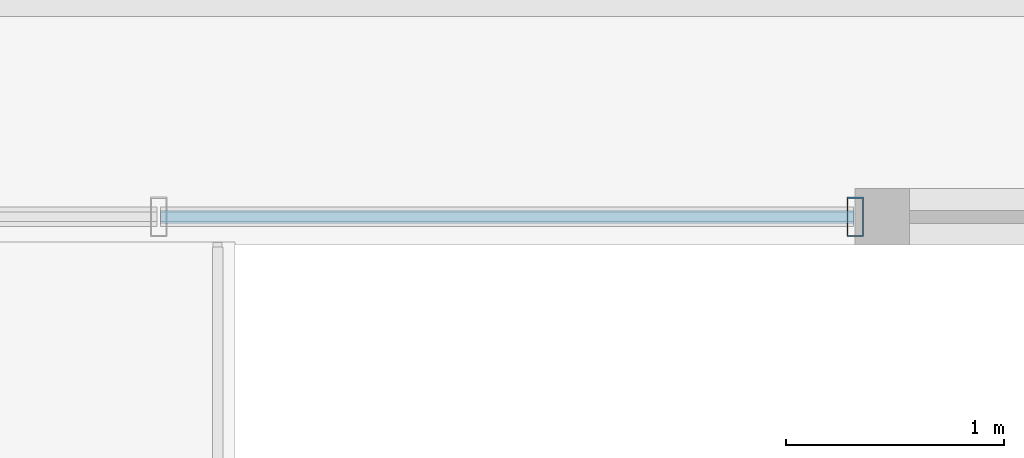
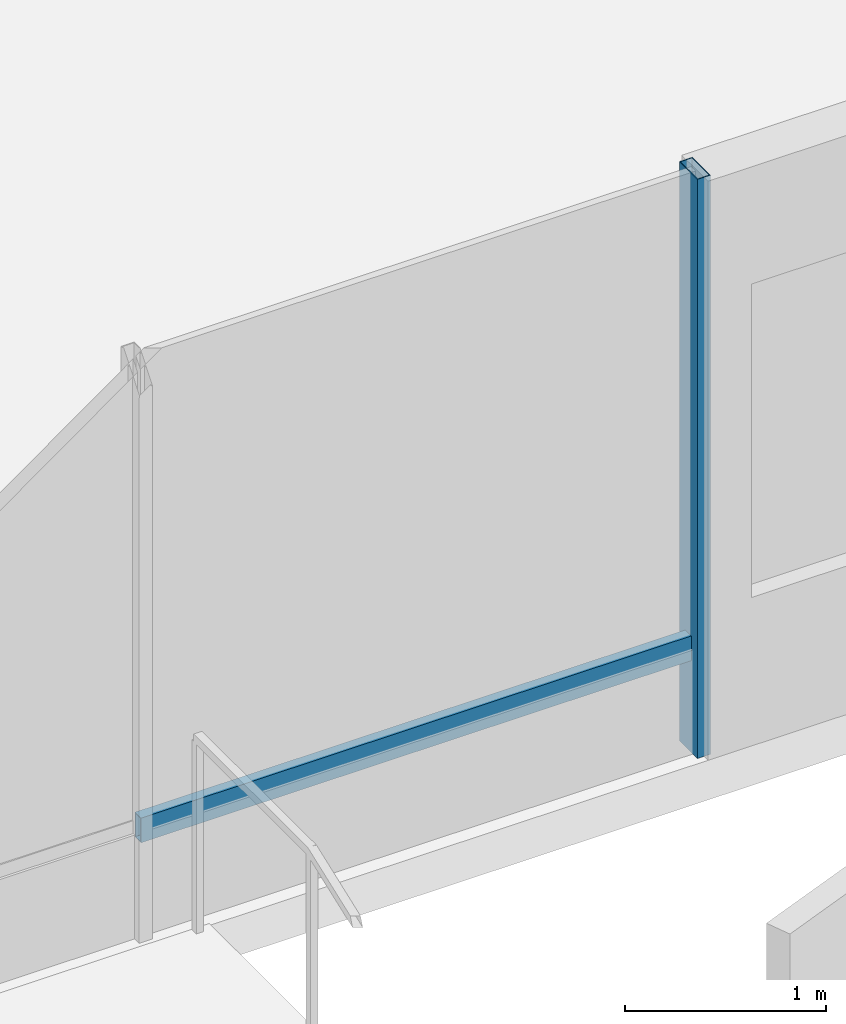
# One storey, part 3 of 17: 2 members, 1 element without a shape of its own.
"""IFC4 building model written with IfcOpenShell, lengths in metres."""

from ifc_helpers import new_model, si_unit, direction, frame, origin, origin_2d, place, context, subcontext, project, spatial, hollow_rectangle, extrude, material, layer, layer_set, material_profile, profile_set, type_object, element, aggregate, save


model = new_model("IFC4")

# Units and contexts
model_context = context("Model", 3, precision=1e-05, world=origin(), true_north=direction((0.0, 1.0)))
body_context = subcontext(model_context, "Body", "Model", "MODEL_VIEW")
ifc_project = project(units=[si_unit("LENGTHUNIT", "METRE"), si_unit("AREAUNIT", "SQUARE_METRE"), si_unit("VOLUMEUNIT", "CUBIC_METRE"), si_unit("PLANEANGLEUNIT", "RADIAN"), si_unit("MASSUNIT", "GRAM", prefix="KILO")], contexts=[model_context])

# Site, building, storey
site_placement = place(None, origin())
site = spatial("IfcSite", under=ifc_project, at=site_placement, CompositionType="ELEMENT")
building_placement = place(site_placement, origin())
building = spatial("IfcBuilding", under=site, at=building_placement, Name="Belovzor Exchange Tower", CompositionType="ELEMENT")
storey_placement = place(building_placement, frame((0.0, 0.0, 303.0)))
storey = spatial("IfcBuildingStorey", under=building, at=storey_placement, Name="L75", CompositionType="ELEMENT", Elevation=303.0)

# Curtain wall, members
ifc_material_1 = material(Name="Anodised Aluminium Framing", Category="aluminium")
ifc_layer = layer(ifc_material_1, 0.179931640625)
ifc_layer_set = layer_set([ifc_layer], Name="Anodised Aluminium Framing")
curtain_wall_type = type_object("IfcCurtainWallType", Name="Recessed Loggia Low-Iron Triple-Glazed Curtain Wall", PredefinedType="NOTDEFINED", material=ifc_layer_set)
curtain_wall_placement = place(storey_placement, origin())
curtain_wall = element("IfcCurtainWall", 1, at=curtain_wall_placement, inside=storey, type_object=curtain_wall_type, Name="CW3 Recessed Loggia Low-Iron Triple-Glazed Curtain Wall L75", PredefinedType="NOTDEFINED")
ifc_material_2 = material(Name="Steel S355", Category="steel")
ifc_material_profile_1 = material_profile(ifc_material_2, hollow_rectangle(XDim=0.074951171875, YDim=0.179931640625, WallThickness=0.0048828125, at=origin_2d()))
ifc_profile_set_1 = profile_set([ifc_material_profile_1], Name="Steel S355")
member_type_1 = type_object("IfcMemberType", Name="Thermally Broken Curtain Wall Mullion 180x75", PredefinedType="MULLION", material=ifc_profile_set_1)
member_1_placement = place(storey_placement, frame((33.60009765625, 6.1298828125, 0.0), z_axis=(0.0, 0.0, 1.0), x_axis=(-1.0, 0.0, 0.0)))
member_1 = element("IfcMember", 2, at=member_1_placement, type_object=member_type_1, Name="CW-M180 Curtain Wall Mullion 1", PredefinedType="MULLION", context=body_context, shape_type="SweptSolid", body=[
    extrude(hollow_rectangle(XDim=0.074951171875, YDim=0.179931640625, WallThickness=0.0048828125, at=origin_2d()), origin(), (0.0, 0.0, 1.0), 3.510009765625),
])
ifc_material_3 = material(Name="Steel S355", Category="steel")
ifc_material_profile_2 = material_profile(ifc_material_3, hollow_rectangle(XDim=0.06005859375, YDim=0.14990234375, WallThickness=0.00390625, at=origin_2d()))
ifc_profile_set_2 = profile_set([ifc_material_profile_2], Name="Steel S355")
member_type_2 = type_object("IfcMemberType", Name="Thermally Broken Curtain Wall Transom 150x60", PredefinedType="USERDEFINED", material=ifc_profile_set_2)
member_2_placement = place(storey_placement, frame((33.592041015625, 6.1298828125, 0.632080078125), z_axis=(-1.0, 0.0, 0.0), x_axis=(0.0, -1.0, 0.0)))
member_2 = element("IfcMember", 3, at=member_2_placement, type_object=member_type_2, Name="CW-T150 Curtain Wall Transom 1", ObjectType="TRANSOM", PredefinedType="USERDEFINED", context=body_context, shape_type="SweptSolid", body=[
    extrude(hollow_rectangle(XDim=0.06005859375, YDim=0.14990234375, WallThickness=0.00390625, at=origin_2d()), origin(), (0.0, 0.0, 1.0), 3.18408203125),
])
aggregate(curtain_wall, [member_1, member_2])

save(model, "model.ifc")
